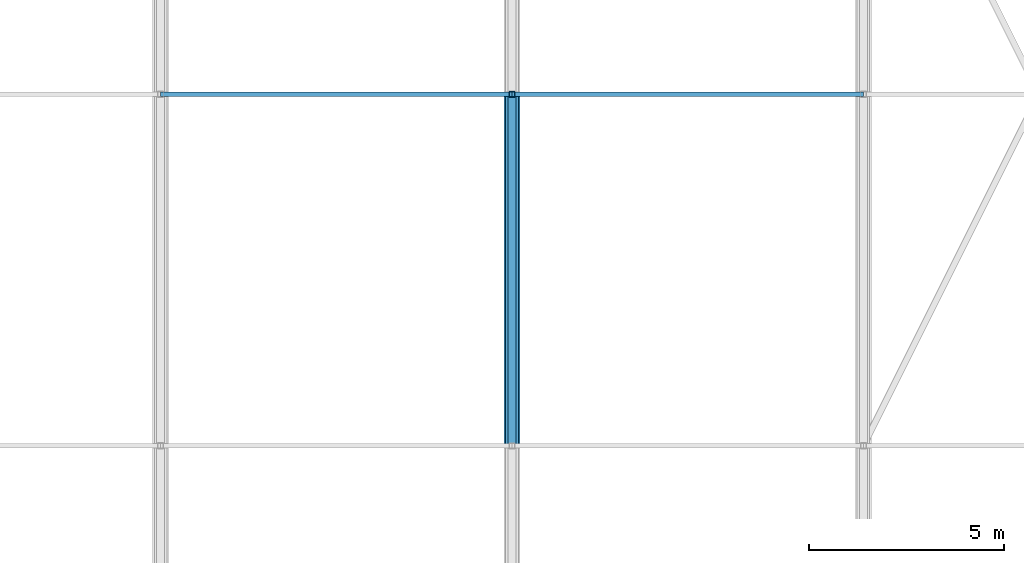
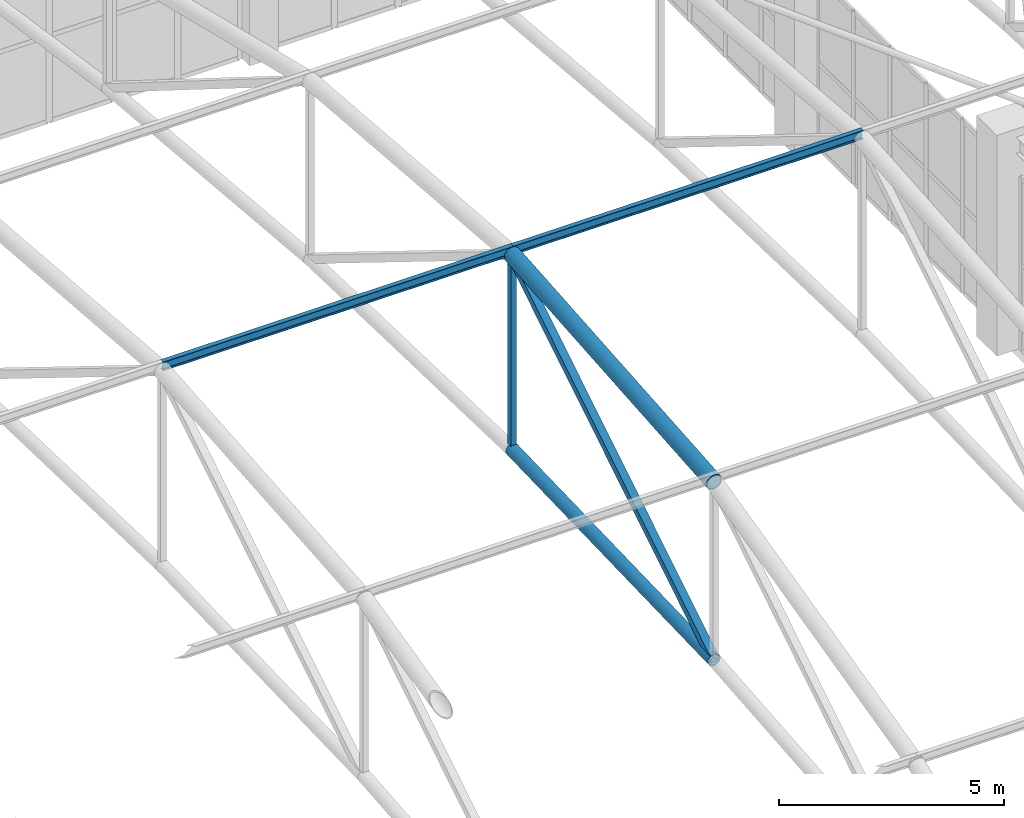
# One storey, part 135 of 223: 6 members.
"""IFC4 building model written with IfcOpenShell, lengths in metres."""

from ifc_helpers import new_model, si_unit, direction, frame, origin, origin_2d, place, context, subcontext, project, spatial, hollow_rectangle, hollow_circle, i_section, extrude, material, material_profile, profile_set, type_object, element, save


model = new_model("IFC4")

# Units and contexts
model_context = context("Model", 3, precision=1e-05, world=origin(), true_north=direction((0.0, 1.0)))
body_context = subcontext(model_context, "Body", "Model", "MODEL_VIEW")
ifc_project = project(units=[si_unit("LENGTHUNIT", "METRE"), si_unit("AREAUNIT", "SQUARE_METRE"), si_unit("VOLUMEUNIT", "CUBIC_METRE"), si_unit("PLANEANGLEUNIT", "RADIAN"), si_unit("MASSUNIT", "GRAM", prefix="KILO")], contexts=[model_context])

# Site, building, storey
site_placement = place(None, origin())
site = spatial("IfcSite", under=ifc_project, at=site_placement, CompositionType="ELEMENT")
building_placement = place(site_placement, origin())
building = spatial("IfcBuilding", under=site, at=building_placement, Name="Dornveld Trade and Exhibition Forum", CompositionType="ELEMENT")
storey_placement = place(building_placement, frame((0.0, 0.0, 6.0)))
storey = spatial("IfcBuildingStorey", under=building, at=storey_placement, Name="L01", CompositionType="ELEMENT", Elevation=6.0)

# Members
ifc_material_1 = material(Name="Steel S355J2", Category="steel")
ifc_material_profile_1 = material_profile(ifc_material_1, hollow_circle(Radius=0.161865234375, WallThickness=0.01611328125, at=origin_2d()), Name="CHS 323.9x16")
ifc_profile_set_1 = profile_set([ifc_material_profile_1], Name="Steel S355J2")
member_type_1 = type_object("IfcMemberType", Name="MEM-ARCH-BC", PredefinedType="CHORD", material=ifc_profile_set_1)
member_1_placement = place(storey_placement, frame((153.0, 126.0, 8.4833984375), z_axis=(0.0, 0.999561545365, 0.029609407757), x_axis=(-1.0, 0.0, 0.0)))
element("IfcMember", 1, at=member_1_placement, inside=storey, type_object=member_type_1, Name="H1 truss 7 tie chord 3", PredefinedType="CHORD", context=body_context, shape_type="SweptSolid", body=[
    extrude(hollow_circle(Radius=0.161865234375, WallThickness=0.01611328125, at=origin_2d()), origin(), (0.0, 0.0, 1.0), 9.00390625),
])
ifc_material_2 = material(Name="Steel S355J2", Category="steel")
ifc_material_profile_2 = material_profile(ifc_material_2, hollow_rectangle(XDim=0.14990234375, YDim=0.14990234375, WallThickness=0.008056640625, at=origin_2d()), Name="SHS 150x150x8")
ifc_profile_set_2 = profile_set([ifc_material_profile_2], Name="Steel S355J2")
member_type_2 = type_object("IfcMemberType", Name="MEM-ARCH-STR", PredefinedType="STRUT", material=ifc_profile_set_2)
member_2_placement = place(storey_placement, frame((153.0, 135.0, 8.75), z_axis=(0.0, 0.0, 1.0), x_axis=(1.0, 0.0, 0.0)))
element("IfcMember", 2, at=member_2_placement, inside=storey, type_object=member_type_2, Name="H1 truss 7 strut 4", PredefinedType="STRUT", context=body_context, shape_type="SweptSolid", body=[
    extrude(hollow_rectangle(XDim=0.14990234375, YDim=0.14990234375, WallThickness=0.008056640625, at=origin_2d()), origin(), (0.0, 0.0, 1.0), 5.300048828125),
])
ifc_material_3 = material(Name="Steel S355J2", Category="steel")
ifc_material_profile_3 = material_profile(ifc_material_3, hollow_circle(Radius=0.203125, WallThickness=0.02001953125, at=origin_2d()), Name="CHS 406.4x20")
ifc_profile_set_3 = profile_set([ifc_material_profile_3], Name="Steel S355J2")
member_type_3 = type_object("IfcMemberType", Name="MEM-ARCH-TC", PredefinedType="CHORD", material=ifc_profile_set_3)
member_3_placement = place(storey_placement, frame((153.0, 126.0, 13.316650390625), z_axis=(0.0, 0.996696239312, 0.081219496064), x_axis=(-1.0, 0.0, 0.0)))
element("IfcMember", 3, at=member_3_placement, inside=storey, type_object=member_type_3, Name="H1 truss 7 top chord 3", PredefinedType="CHORD", context=body_context, shape_type="SweptSolid", body=[
    extrude(hollow_circle(Radius=0.203125, WallThickness=0.02001953125, at=origin_2d()), origin(), (0.0, 0.0, 1.0), 9.02978515625),
])
ifc_material_4 = material(Name="Steel S355J2", Category="steel")
ifc_material_profile_4 = material_profile(ifc_material_4, hollow_rectangle(XDim=0.199951171875, YDim=0.199951171875, WallThickness=0.010009765625, at=origin_2d()), Name="SHS 200x200x10")
ifc_profile_set_4 = profile_set([ifc_material_profile_4], Name="Steel S355J2")
member_type_4 = type_object("IfcMemberType", Name="MEM-ARCH-WEB", PredefinedType="BRACE", material=ifc_profile_set_4)
member_4_placement = place(storey_placement, frame((153.0, 126.0, 8.4833984375), z_axis=(0.0, 0.850467158024, 0.526028148603), x_axis=(-1.0, 0.0, 0.0)))
element("IfcMember", 4, at=member_4_placement, inside=storey, type_object=member_type_4, Name="H1 truss 7 web 3", PredefinedType="BRACE", context=body_context, shape_type="SweptSolid", body=[
    extrude(hollow_rectangle(XDim=0.199951171875, YDim=0.199951171875, WallThickness=0.010009765625, at=origin_2d()), origin(), (0.0, 0.0, 1.0), 10.58251953125),
])
ifc_material_5 = material(Name="Steel S355J2", Category="steel")
ifc_material_profile_5 = material_profile(ifc_material_5, i_section(OverallWidth=0.1201171875, OverallDepth=0.239990234375, WebThickness=0.006103515625, FlangeThickness=0.009765625, FilletRadius=0.014892578125, at=origin_2d()), Name="IPE 240")
ifc_profile_set_5 = profile_set([ifc_material_profile_5], Name="Steel S355J2")
member_type_5 = type_object("IfcMemberType", Name="MEM-PURLIN-240", PredefinedType="PURLIN", material=ifc_profile_set_5)
for number, where, z_axis, x_axis, name in (
    (5, (144.0, 135.0, 14.181884765625), (1.0, 0.0, 0.0), (0.0, 1.0, 0.0), "H1 bay 6 roof purlin 4"),
    (6, (153.0, 135.0, 14.181884765625), (1.0, 0.0, 0.0), (0.0, 1.0, 0.0), "H1 bay 7 roof purlin 4"),
):
    element("IfcMember", number, at=place(storey_placement, frame(where, z_axis=z_axis, x_axis=x_axis)), inside=storey, type_object=member_type_5, Name=name, PredefinedType="PURLIN", context=body_context, shape_type="SweptSolid", body=[
        extrude(i_section(OverallWidth=0.1201171875, OverallDepth=0.239990234375, WebThickness=0.006103515625, FlangeThickness=0.009765625, FilletRadius=0.014892578125, at=origin_2d()), origin(), (0.0, 0.0, 1.0), 9.0),
    ])

save(model, "model.ifc")
